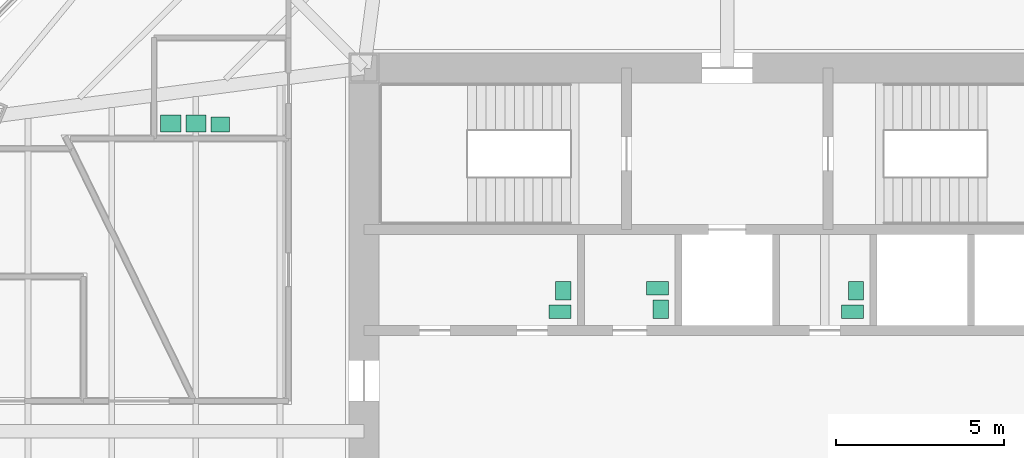
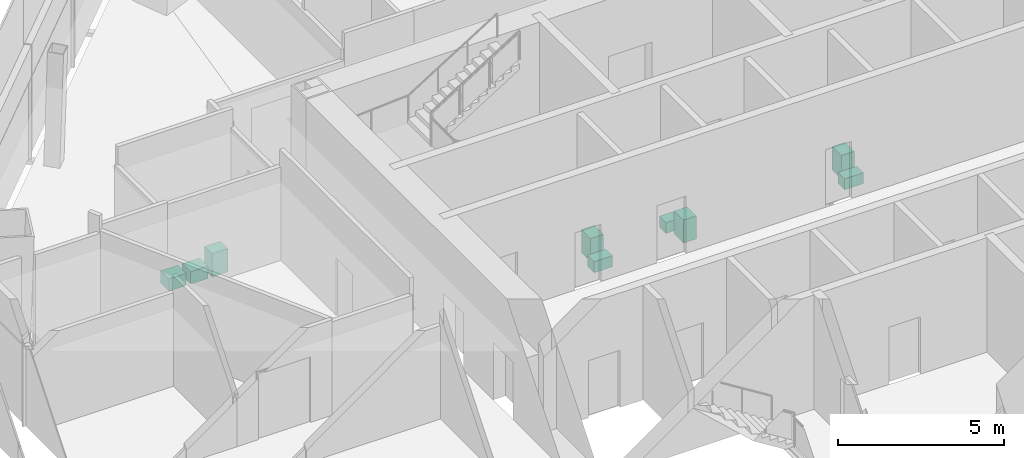
# One storey, part 14 of 14: 9 sanitary terminals.
"""IFC4 building model written with IfcOpenShell, lengths in metres."""

from ifc_helpers import new_model, si_unit, direction, frame, origin, origin_2d, place, context, subcontext, project, spatial, rectangle, extrude, material, type_object, element, save


model = new_model("IFC4")

# Units and contexts
model_context = context("Model", 3, precision=1e-05, world=origin(), true_north=direction((0.0, 1.0)))
body_context = subcontext(model_context, "Body", "Model", "MODEL_VIEW")
ifc_project = project(units=[si_unit("LENGTHUNIT", "METRE"), si_unit("AREAUNIT", "SQUARE_METRE"), si_unit("VOLUMEUNIT", "CUBIC_METRE"), si_unit("PLANEANGLEUNIT", "RADIAN"), si_unit("MASSUNIT", "GRAM", prefix="KILO")], contexts=[model_context])

# Site, building, storey
site_placement = place(None, origin())
site = spatial("IfcSite", under=ifc_project, at=site_placement, CompositionType="ELEMENT")
building_placement = place(site_placement, origin())
building = spatial("IfcBuilding", under=site, at=building_placement, Name="Mashrafa Tower", CompositionType="ELEMENT")
storey_placement = place(building_placement, frame((0.0, 0.0, 138.60009765625)))
storey = spatial("IfcBuildingStorey", under=building, at=storey_placement, Name="L31", CompositionType="ELEMENT", Elevation=138.60009765625)

# Sanitary terminals
ifc_material_1 = material(Name="Stainless steel", Category="steel")
sanitary_terminal_type_1 = type_object("IfcSanitaryTerminalType", Name="Ablution wash station 600 x 500", PredefinedType="WASHHANDBASIN", material=ifc_material_1)
for number, where, z_axis, x_axis, name in (
    (1, (-16.550048828125, 9.14990234375, 0.0), (0.0, 0.0, 1.0), (1.0, 0.0, 0.0), "Ablution wash station Ablution Room L31"),
    (2, (-15.800048828125, 9.14990234375, 0.0), (0.0, 0.0, 1.0), (1.0, 0.0, 0.0), "Ablution wash station Ablution Room L31"),
):
    element("IfcSanitaryTerminal", number, at=place(storey_placement, frame(where, z_axis=z_axis, x_axis=x_axis)), inside=storey, type_object=sanitary_terminal_type_1, Name=name, PredefinedType="WASHHANDBASIN", context=body_context, shape_type="SweptSolid", body=[
        extrude(rectangle(XDim=0.60009765625, YDim=0.5, at=origin_2d()), origin(), (0.0, 0.0, 1.0), 0.449951171875),
    ])
ifc_material_2 = material(Name="Vitreous china")
sanitary_terminal_type_2 = type_object("IfcSanitaryTerminalType", Name="Toilet pan 400 x 650", PredefinedType="TOILETPAN", material=ifc_material_2)
for number, where, z_axis, x_axis, name in (
    (3, (-4.97509765625, 3.550048828125, 0.0), (0.0, 0.0, 1.0), (0.0, 1.0, 0.0), "Toilet pan WC Female L31"),
    (4, (-2.074951171875, 4.25, 0.0), (0.0, 0.0, 1.0), (0.0, 1.0, 0.0), "Toilet pan Accessible WC L31"),
    (5, (3.72509765625, 3.550048828125, 0.0), (0.0, 0.0, 1.0), (0.0, 1.0, 0.0), "Toilet pan WC Male L31"),
):
    element("IfcSanitaryTerminal", number, at=place(storey_placement, frame(where, z_axis=z_axis, x_axis=x_axis)), inside=storey, type_object=sanitary_terminal_type_2, Name=name, PredefinedType="TOILETPAN", context=body_context, shape_type="SweptSolid", body=[
        extrude(rectangle(XDim=0.39990234375, YDim=0.64990234375, at=origin_2d()), origin(), (0.0, 0.0, 1.0), 0.39990234375),
    ])
ifc_material_3 = material(Name="Vitreous china")
sanitary_terminal_type_3 = type_object("IfcSanitaryTerminalType", Name="Wash basin 550 x 450", PredefinedType="WASHHANDBASIN", material=ifc_material_3)
for number, where, z_axis, x_axis, name in (
    (6, (-4.875, 4.175048828125, -0.000244140625), (0.0, 0.0, 1.0), (0.0, 1.0, 0.0), "Wash basin WC Female L31"),
    (7, (-1.97509765625, 3.625, -0.000244140625), (0.0, 0.0, 1.0), (0.0, 1.0, 0.0), "Wash basin Accessible WC L31"),
    (8, (3.824951171875, 4.175048828125, -0.000244140625), (0.0, 0.0, 1.0), (0.0, 1.0, 0.0), "Wash basin WC Male L31"),
    (9, (-15.074951171875, 9.125, -0.000244140625), (0.0, 0.0, 1.0), (1.0, 0.0, 0.0), "Wash basin Ablution Room L31"),
):
    element("IfcSanitaryTerminal", number, at=place(storey_placement, frame(where, z_axis=z_axis, x_axis=x_axis)), inside=storey, type_object=sanitary_terminal_type_3, Name=name, PredefinedType="WASHHANDBASIN", context=body_context, shape_type="SweptSolid", body=[
        extrude(rectangle(XDim=0.550048828125, YDim=0.449951171875, at=origin_2d()), origin(), (0.0, 0.0, 1.0), 0.85009765625),
    ])

save(model, "model.ifc")
